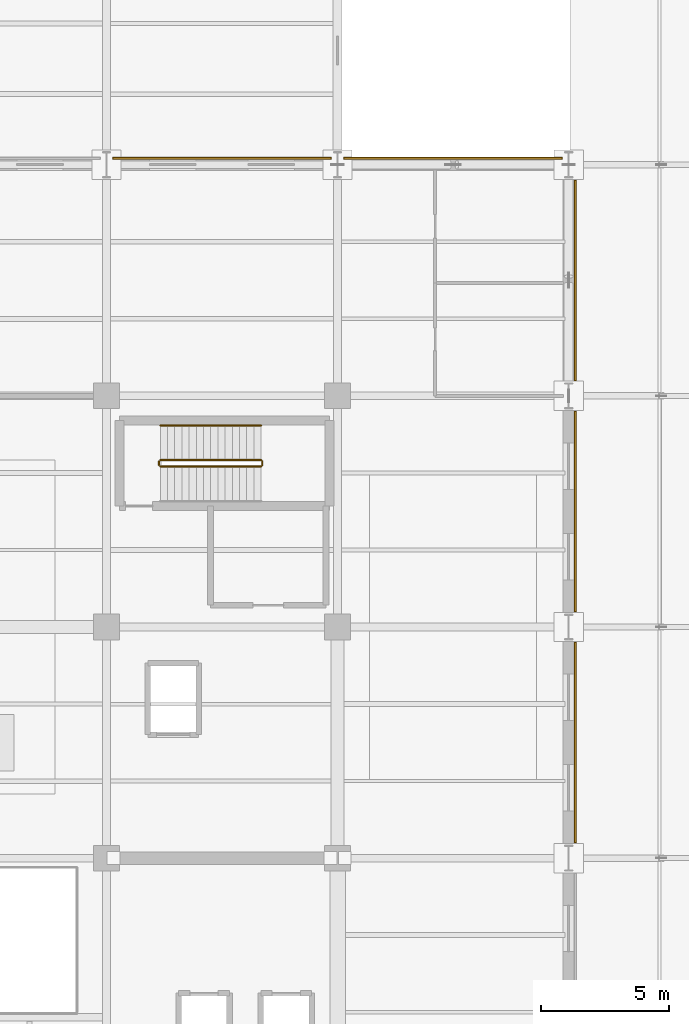
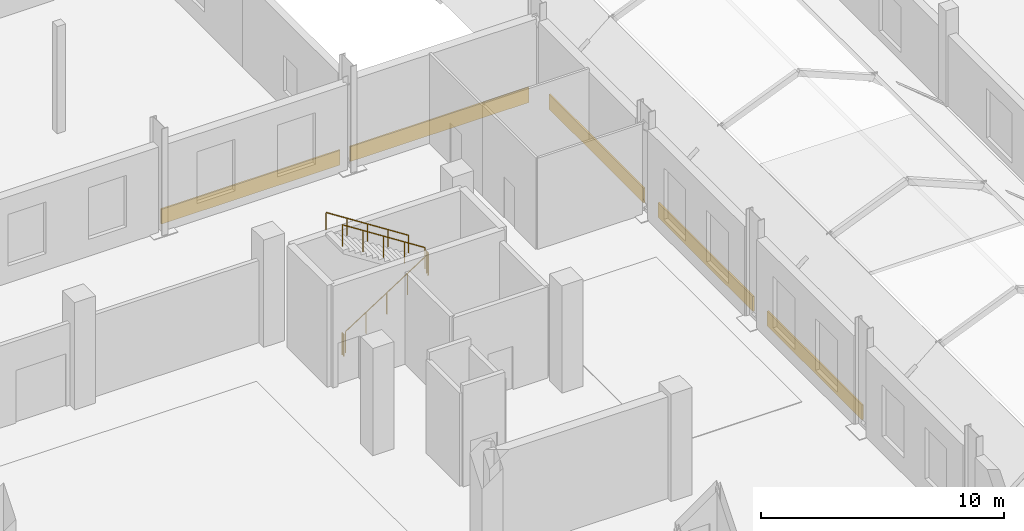
# One storey, part 137 of 141: 5 coverings, 5 railings.
"""IFC4 building model written with IfcOpenShell, lengths in metres."""

import ifcopenshell
import ifcopenshell.guid

model = None  # the IFC model being written
_history = None  # IfcOwnerHistory: only IFC2X3 demands one
_inside = {}  # id of a spatial element -> (the spatial element, [elements in it])
_under = {}  # id of a project, library or spatial element -> (it, [spatial elements below it])
_declared = {}  # id of a project -> (the project, [libraries it declares])
_typed = {}  # id of a type object -> (the type object, [elements of that type])
_made_of = {}  # id of a material, layer set ... -> (it, [elements and type objects made of it])


def new_model(schema):
    """Start an empty IFC model of exactly this schema.

    Asked for "IFC4X3", IfcOpenShell would pick the latest addendum, in which some entities
    have other attributes; the version numbers below select the first issue.
    IFC2X3 requires an IfcOwnerHistory on every rooted entity: one is made here for all.
    """
    global model, _history
    if schema == "IFC4X3":
        model = ifcopenshell.file(schema_version=(4, 3, 0, 0))
    else:
        model = ifcopenshell.file(schema=schema)
    _inside.clear()
    _under.clear()
    _declared.clear()
    _typed.clear()
    _made_of.clear()
    _history = None
    if model.schema == "IFC2X3":
        org = make("IfcOrganization", Name="unknown")
        user = make(
            "IfcPersonAndOrganization",
            ThePerson=make("IfcPerson", FamilyName="unknown"),
            TheOrganization=org,
        )
        app = make(
            "IfcApplication",
            ApplicationDeveloper=org,
            Version="unknown",
            ApplicationFullName="unknown",
            ApplicationIdentifier="unknown",
        )
        _history = make(
            "IfcOwnerHistory",
            OwningUser=user,
            OwningApplication=app,
            ChangeAction="ADDED",
            CreationDate=0,
        )
    return model


def make(cls, **values):
    """One entity of the class cls with the attributes given. An attribute that is None is left unset."""
    return model.create_entity(
        cls, **{name: value for name, value in values.items() if value is not None}
    )


def rooted(cls, **values):
    """An entity with a GlobalId (a new one), such as an element, a storey or a relation."""
    return make(cls, GlobalId=ifcopenshell.guid.new(), OwnerHistory=_history, **values)


def si_unit(unit_type, name, prefix=None):
    """IfcSIUnit, for example si_unit("LENGTHUNIT", "METRE", prefix="MILLI")."""
    return make("IfcSIUnit", UnitType=unit_type, Prefix=prefix, Name=name)


def assignment(units):
    """IfcUnitAssignment: the units of a project."""
    return None if units is None else make("IfcUnitAssignment", Units=units)


def point(xyz):
    """IfcCartesianPoint."""
    return None if xyz is None else make("IfcCartesianPoint", Coordinates=xyz)


def direction(xyz):
    """IfcDirection."""
    return None if xyz is None else make("IfcDirection", DirectionRatios=xyz)


def frame(location, z_axis=None, x_axis=None):
    """IfcAxis2Placement3D, a coordinate frame: its origin and axes. An axis left out is left unset."""
    return make(
        "IfcAxis2Placement3D",
        Location=point(location),
        Axis=direction(z_axis),
        RefDirection=direction(x_axis),
    )


def frame_2d(location, x_axis=None):
    """IfcAxis2Placement2D, a coordinate frame in the plane: its origin and x axis."""
    return make(
        "IfcAxis2Placement2D", Location=point(location), RefDirection=direction(x_axis)
    )


def origin():
    """The frame at (0, 0, 0) with its axes left unset."""
    return frame((0.0, 0.0, 0.0))


def origin_2d():
    """The frame at (0, 0) in the plane with its x axis left unset."""
    return frame_2d((0.0, 0.0))


def place(relative_to, where):
    """IfcLocalPlacement: puts the frame where relative to a parent placement (None: the world)."""
    return make(
        "IfcLocalPlacement", PlacementRelTo=relative_to, RelativePlacement=where
    )


def context(
    kind, dimensions, precision=None, world=None, true_north=None, identifier=None
):
    """IfcGeometricRepresentationContext, for example the 3D "Model" context."""
    return make(
        "IfcGeometricRepresentationContext",
        ContextIdentifier=identifier,
        ContextType=kind,
        CoordinateSpaceDimension=dimensions,
        Precision=precision,
        WorldCoordinateSystem=world,
        TrueNorth=true_north,
    )


def subcontext(parent, identifier, kind, view, scale=None):
    """IfcGeometricRepresentationSubContext, for example "Body" below "Model"."""
    return make(
        "IfcGeometricRepresentationSubContext",
        ContextIdentifier=identifier,
        ContextType=kind,
        ParentContext=parent,
        TargetScale=scale,
        TargetView=view,
    )


def project(units=None, contexts=None):
    """IfcProject with its units and contexts."""
    return rooted(
        "IfcProject",
        Name="project",
        RepresentationContexts=contexts,
        UnitsInContext=assignment(units),
    )


def spatial(cls, under=None, at=None, **own):
    """A site, building, storey or space (cls), placed at a placement, below another one or the project."""
    s = rooted(cls, ObjectPlacement=at, **own)
    if under is not None:
        _under.setdefault(under.id(), (under, []))[1].append(s)
    return s


def profile(cls, at=None, kind="AREA", **sizes):
    """A parametric profile (cls). Its sizes go by their IFC names, for example OverallWidth=200.0."""
    return make(cls, ProfileType=kind, Position=at, **sizes)


def rectangle(**sizes):
    """IfcRectangleProfileDef."""
    return profile("IfcRectangleProfileDef", **sizes)


def circle(**sizes):
    """IfcCircleProfileDef."""
    return profile("IfcCircleProfileDef", **sizes)


def extrude(swept, where, along, depth):
    """IfcExtrudedAreaSolid: the profile swept, set in the frame where, extruded along a direction by depth."""
    return make(
        "IfcExtrudedAreaSolid",
        SweptArea=swept,
        Position=where,
        ExtrudedDirection=direction(along),
        Depth=depth,
    )


def shape(context_of_items, identifier, shape_type, items):
    """IfcShapeRepresentation: the items that make up one representation, for example the "Body"."""
    return make(
        "IfcShapeRepresentation",
        ContextOfItems=context_of_items,
        RepresentationIdentifier=identifier,
        RepresentationType=shape_type,
        Items=items,
    )


def material(Name=None, Category=None):
    """IfcMaterial."""
    return make("IfcMaterial", Name=Name, Category=Category)


def layer(
    of_material, thickness, ventilated=None, Name=None, Category=None, Priority=None
):
    """IfcMaterialLayer: one layer of a wall or slab, of a material (None: an air gap)."""
    return make(
        "IfcMaterialLayer",
        Material=of_material,
        LayerThickness=thickness,
        IsVentilated=ventilated,
        Name=Name,
        Category=Category,
        Priority=Priority,
    )


def layer_set(layers, Name=None):
    """IfcMaterialLayerSet."""
    return make("IfcMaterialLayerSet", MaterialLayers=layers, LayerSetName=Name)


def made_of(thing, what):
    """Note that an element or type object is made of a material, layer set ...; save() writes the relation."""
    if what is not None:
        _made_of.setdefault(what.id(), (what, []))[1].append(thing)
    return thing


def type_object(cls, material=None, **own):
    """A type object (cls), such as IfcWallType, which elements share."""
    return made_of(rooted(cls, **own), material)


def element(
    cls,
    number,
    at=None,
    inside=None,
    cuts=None,
    type_object=None,
    material=None,
    context=None,
    identifier="Body",
    shape_type=None,
    held_by="IfcProductDefinitionShape",
    body=None,
    shapes=None,
    **own,
):
    """One element of the class cls, such as IfcWall. Its Tag is "e" and its number.

    at: its placement. inside: the storey or other place that contains it. cuts: it is an
    opening in that element (IfcRelVoidsElement). A single representation is given by context,
    identifier, shape_type and body (its items); several are given by shapes. held_by: the class
    of the entity that holds the representations. save() writes the other relations.
    """
    e = rooted(cls, Tag="e%d" % number, ObjectPlacement=at, **own)
    if body is not None:
        shapes = [shape(context, identifier, shape_type, body)]
    if shapes is not None:
        e.Representation = make(held_by, Representations=shapes)
    if inside is not None:
        _inside.setdefault(inside.id(), (inside, []))[1].append(e)
    if cuts is not None:
        rooted(
            "IfcRelVoidsElement", RelatingBuildingElement=cuts, RelatedOpeningElement=e
        )
    if type_object is not None:
        _typed.setdefault(type_object.id(), (type_object, []))[1].append(e)
    return made_of(e, material)


def aggregate(whole, parts):
    """IfcRelAggregates: a whole, such as a stair, and the parts it consists of."""
    return rooted("IfcRelAggregates", RelatingObject=whole, RelatedObjects=parts)


def save(model, path):
    """Write the relations noted so far, then the file.

    IfcRelAggregates (storeys below a building ...), IfcRelContainedInSpatialStructure (elements
    in a storey), IfcRelDefinesByType, IfcRelAssociatesMaterial and IfcRelDeclares: one each for
    every whole, place, type object, material and project.
    """
    for whole, parts in _under.values():
        aggregate(whole, parts)
    for where, things in _inside.values():
        rooted(
            "IfcRelContainedInSpatialStructure",
            RelatedElements=things,
            RelatingStructure=where,
        )
    for kind, things in _typed.values():
        rooted("IfcRelDefinesByType", RelatedObjects=things, RelatingType=kind)
    for what, things in _made_of.values():
        rooted("IfcRelAssociatesMaterial", RelatedObjects=things, RelatingMaterial=what)
    for by, libraries in _declared.values():
        rooted("IfcRelDeclares", RelatingContext=by, RelatedDefinitions=libraries)
    model.write(path)


model = new_model("IFC4")

# Units and contexts
model_context = context("Model", 3, precision=1e-05, world=origin(), true_north=direction((0.0, 1.0)))
body_context = subcontext(model_context, "Body", "Model", "MODEL_VIEW")
ifc_project = project(units=[si_unit("LENGTHUNIT", "METRE"), si_unit("AREAUNIT", "SQUARE_METRE"), si_unit("VOLUMEUNIT", "CUBIC_METRE"), si_unit("PLANEANGLEUNIT", "RADIAN"), si_unit("MASSUNIT", "GRAM", prefix="KILO")], contexts=[model_context])

# Site, building, storey
site_placement = place(None, origin())
site = spatial("IfcSite", under=ifc_project, at=site_placement, CompositionType="ELEMENT")
building_placement = place(site_placement, origin())
building = spatial("IfcBuilding", under=site, at=building_placement, Name="Sundgate Opera House", CompositionType="ELEMENT")
storey_placement = place(building_placement, frame((0.0, 0.0, 11.39990234375)))
storey = spatial("IfcBuildingStorey", under=building, at=storey_placement, Name="L02", CompositionType="ELEMENT", Elevation=11.39990234375)

# Coverings
ifc_material_1 = material(Name="Deep-carved Komstad limestone relief panel", Category="masonry")
ifc_layer_1 = layer(ifc_material_1, 0.094970703125)
ifc_layer_set_1 = layer_set([ifc_layer_1], Name="Deep-carved Komstad limestone relief panel")
covering_type_1 = type_object("IfcCoveringType", Name="CV-TRENC-DEEP", PredefinedType="CLADDING", material=ifc_layer_set_1)
covering_1_placement = place(storey_placement, frame((67.5, 87.257568359375, 0.045166015625), z_axis=(0.0, 0.0, 1.0), x_axis=(1.0, 0.0, 0.0)))
element("IfcCovering", 1, at=covering_1_placement, inside=storey, type_object=covering_type_1, Name="L02 Trencadis 750mm Relief Band CV0010", PredefinedType="CLADDING", context=body_context, shape_type="SweptSolid", body=[
    extrude(rectangle(XDim=8.510009765625, YDim=0.074951171875, at=origin_2d()), origin(), (0.0, 0.0, 1.0), 0.75),
])
covering_2_placement = place(storey_placement, frame((81.257568359375, 73.5, 0.045166015625), z_axis=(0.0, 0.0, 1.0), x_axis=(0.0, 1.0, 0.0)))
element("IfcCovering", 2, at=covering_2_placement, inside=storey, type_object=covering_type_1, Name="L02 Trencadis 750mm Relief Band CV0022", PredefinedType="CLADDING", context=body_context, shape_type="SweptSolid", body=[
    extrude(rectangle(XDim=7.81005859375, YDim=0.074951171875, at=origin_2d()), origin(), (0.0, 0.0, 1.0), 0.75),
])
ifc_material_2 = material(Name="Frost-proof vitrified stoneware trencadis relief tile", Category="masonry")
ifc_layer_2 = layer(ifc_material_2, 0.074951171875)
ifc_layer_set_2 = layer_set([ifc_layer_2], Name="Frost-proof vitrified stoneware trencadis relief tile")
covering_type_2 = type_object("IfcCoveringType", Name="CV-TRENC-RELIEF", PredefinedType="CLADDING", material=ifc_layer_set_2)
covering_3_placement = place(storey_placement, frame((81.257568359375, 64.5, 0.045166015625), z_axis=(0.0, 0.0, 1.0), x_axis=(0.0, 1.0, 0.0)))
element("IfcCovering", 3, at=covering_3_placement, inside=storey, type_object=covering_type_2, Name="L02 Trencadis 750mm Relief Band CV0020", PredefinedType="CLADDING", context=body_context, shape_type="SweptSolid", body=[
    extrude(rectangle(XDim=7.81005859375, YDim=0.074951171875, at=origin_2d()), origin(), (0.0, 0.0, 1.0), 0.75),
])
ifc_material_3 = material(Name="Polychrome trencadis mosaic panel", Category="masonry")
ifc_layer_3 = layer(ifc_material_3, 0.054931640625)
ifc_layer_set_3 = layer_set([ifc_layer_3], Name="Polychrome trencadis mosaic panel")
covering_type_3 = type_object("IfcCoveringType", Name="CV-TRENC-SLIM", PredefinedType="CLADDING", material=ifc_layer_set_3)
covering_4_placement = place(storey_placement, frame((76.5, 87.257568359375, 0.045166015625), z_axis=(0.0, 0.0, 1.0), x_axis=(1.0, 0.0, 0.0)))
element("IfcCovering", 4, at=covering_4_placement, inside=storey, type_object=covering_type_3, Name="L02 Trencadis 750mm Relief Band CV0012", PredefinedType="CLADDING", context=body_context, shape_type="SweptSolid", body=[
    extrude(rectangle(XDim=8.510009765625, YDim=0.074951171875, at=origin_2d()), origin(), (0.0, 0.0, 1.0), 0.75),
])
covering_5_placement = place(storey_placement, frame((81.257568359375, 82.5, 0.045166015625), z_axis=(0.0, 0.0, 1.0), x_axis=(0.0, 1.0, 0.0)))
element("IfcCovering", 5, at=covering_5_placement, inside=storey, type_object=covering_type_3, Name="L02 Trencadis 750mm Relief Band CV0024", PredefinedType="CLADDING", context=body_context, shape_type="SweptSolid", body=[
    extrude(rectangle(XDim=7.81005859375, YDim=0.074951171875, at=origin_2d()), origin(), (0.0, 0.0, 1.0), 0.75),
])

# Railings
ifc_material_4 = material(Name="Painted steel S275 guardrail", Category="steel")
railing_type_1 = type_object("IfcRailingType", Name="RL-STAIR-GUARD-1100", PredefinedType="GUARDRAIL", material=ifc_material_4)
railing_1_placement = place(storey_placement, frame((65.10009765625, 75.25, 0.18017578125)))
element("IfcRailing", 6, at=railing_1_placement, inside=storey, type_object=railing_type_1, Name="ST04L02 Guardrail RL0151", PredefinedType="GUARDRAIL", context=body_context, shape_type="SweptSolid", body=[
    extrude(circle(Radius=0.02392578125, at=origin_2d()), frame((0.0, 0.0, 1.076171875), z_axis=(0.841171666519, 0.0, 0.540768182723), x_axis=(0.0, 1.0, 0.0)), (0.0, 0.0, 1.0), 4.66015625),
    extrude(circle(Radius=0.02099609375, at=origin_2d()), origin(), (0.0, 0.0, 1.0), 1.052001953125),
    extrude(circle(Radius=0.02099609375, at=origin_2d()), frame((0.97998046875, 0.0, 0.6298828125)), (0.0, 0.0, 1.0), 1.052001953125),
    extrude(circle(Radius=0.02099609375, at=origin_2d()), frame((1.9599609375, 0.0, 1.260009765625)), (0.0, 0.0, 1.0), 1.052001953125),
    extrude(circle(Radius=0.02099609375, at=origin_2d()), frame((2.93994140625, 0.0, 1.89013671875)), (0.0, 0.0, 1.0), 1.052001953125),
    extrude(circle(Radius=0.02099609375, at=origin_2d()), frame((3.919921875, 0.0, 2.52001953125)), (0.0, 0.0, 1.0), 1.052001953125),
])
railing_2_placement = place(storey_placement, frame((69.070068359375, 75.300048828125, 2.7001953125)))
element("IfcRailing", 7, at=railing_2_placement, inside=storey, type_object=railing_type_1, Name="ST04L02 Guardrail RL0152", PredefinedType="GUARDRAIL", context=body_context, shape_type="SweptSolid", body=[
    extrude(circle(Radius=0.02392578125, at=origin_2d()), frame((0.0, 0.0, 1.076171875), z_axis=(0.0, 1.0, 0.0), x_axis=(-1.0, 0.0, 0.0)), (0.0, 0.0, 1.0), 0.14990234375),
    extrude(circle(Radius=0.02099609375, at=origin_2d()), origin(), (0.0, 0.0, 1.0), 1.052001953125),
    extrude(circle(Radius=0.02099609375, at=origin_2d()), frame((0.0, 0.14990234375, 0.0)), (0.0, 0.0, 1.0), 1.052001953125),
])
railing_3_placement = place(storey_placement, frame((69.02001953125, 75.5, 2.880126953125)))
element("IfcRailing", 8, at=railing_3_placement, inside=storey, type_object=railing_type_1, Name="ST04L02 Guardrail RL0153", PredefinedType="GUARDRAIL", context=body_context, shape_type="SweptSolid", body=[
    extrude(circle(Radius=0.02392578125, at=origin_2d()), frame((0.0, 0.0, 1.076171875), z_axis=(-0.841171666519, 0.0, 0.540768182723), x_axis=(0.0, -1.0, 0.0)), (0.0, 0.0, 1.0), 4.66015625),
    extrude(circle(Radius=0.02099609375, at=origin_2d()), origin(), (0.0, 0.0, 1.0), 1.052001953125),
    extrude(circle(Radius=0.02099609375, at=origin_2d()), frame((-0.97998046875, 0.0, 0.6298828125)), (0.0, 0.0, 1.0), 1.052001953125),
    extrude(circle(Radius=0.02099609375, at=origin_2d()), frame((-1.9599609375, 0.0, 1.260009765625)), (0.0, 0.0, 1.0), 1.052001953125),
    extrude(circle(Radius=0.02099609375, at=origin_2d()), frame((-2.93994140625, 0.0, 1.89013671875)), (0.0, 0.0, 1.0), 1.052001953125),
    extrude(circle(Radius=0.02099609375, at=origin_2d()), frame((-3.919921875, 0.0, 2.52001953125)), (0.0, 0.0, 1.0), 1.052001953125),
])
railing_4_placement = place(storey_placement, frame((65.050048828125, 75.300048828125, 0.0)))
element("IfcRailing", 9, at=railing_4_placement, inside=storey, type_object=railing_type_1, Name="ST04L02 Guardrail RL0154", PredefinedType="GUARDRAIL", context=body_context, shape_type="SweptSolid", body=[
    extrude(circle(Radius=0.02392578125, at=origin_2d()), frame((0.0, 0.0, 1.076171875), z_axis=(0.0, 1.0, 0.0), x_axis=(-1.0, 0.0, 0.0)), (0.0, 0.0, 1.0), 0.14990234375),
    extrude(circle(Radius=0.02099609375, at=origin_2d()), origin(), (0.0, 0.0, 1.0), 1.052001953125),
    extrude(circle(Radius=0.02099609375, at=origin_2d()), frame((0.0, 0.14990234375, 0.0)), (0.0, 0.0, 1.0), 1.052001953125),
])
ifc_material_5 = material(Name="Brushed stainless steel handrail", Category="steel")
railing_type_2 = type_object("IfcRailingType", Name="RL-STAIR-HAND-900", PredefinedType="HANDRAIL", material=ifc_material_5)
railing_5_placement = place(storey_placement, frame((69.02001953125, 76.85009765625, 2.880126953125)))
element("IfcRailing", 10, at=railing_5_placement, inside=storey, type_object=railing_type_2, Name="ST04L02 Handrail RL0156", PredefinedType="HANDRAIL", context=body_context, shape_type="SweptSolid", body=[
    extrude(circle(Radius=0.02392578125, at=origin_2d()), frame((0.0, 0.0, 0.8759765625), z_axis=(-0.841171666519, 0.0, 0.540768182723), x_axis=(0.0, -1.0, 0.0)), (0.0, 0.0, 1.0), 4.66015625),
    extrude(circle(Radius=0.02099609375, at=origin_2d()), origin(), (0.0, 0.0, 1.0), 0.851806640625),
    extrude(circle(Radius=0.02099609375, at=origin_2d()), frame((-0.97998046875, 0.0, 0.6298828125)), (0.0, 0.0, 1.0), 0.851806640625),
    extrude(circle(Radius=0.02099609375, at=origin_2d()), frame((-1.9599609375, 0.0, 1.260009765625)), (0.0, 0.0, 1.0), 0.851806640625),
    extrude(circle(Radius=0.02099609375, at=origin_2d()), frame((-2.93994140625, 0.0, 1.89013671875)), (0.0, 0.0, 1.0), 0.851806640625),
    extrude(circle(Radius=0.02099609375, at=origin_2d()), frame((-3.919921875, 0.0, 2.52001953125)), (0.0, 0.0, 1.0), 0.851806640625),
])

save(model, "model.ifc")
